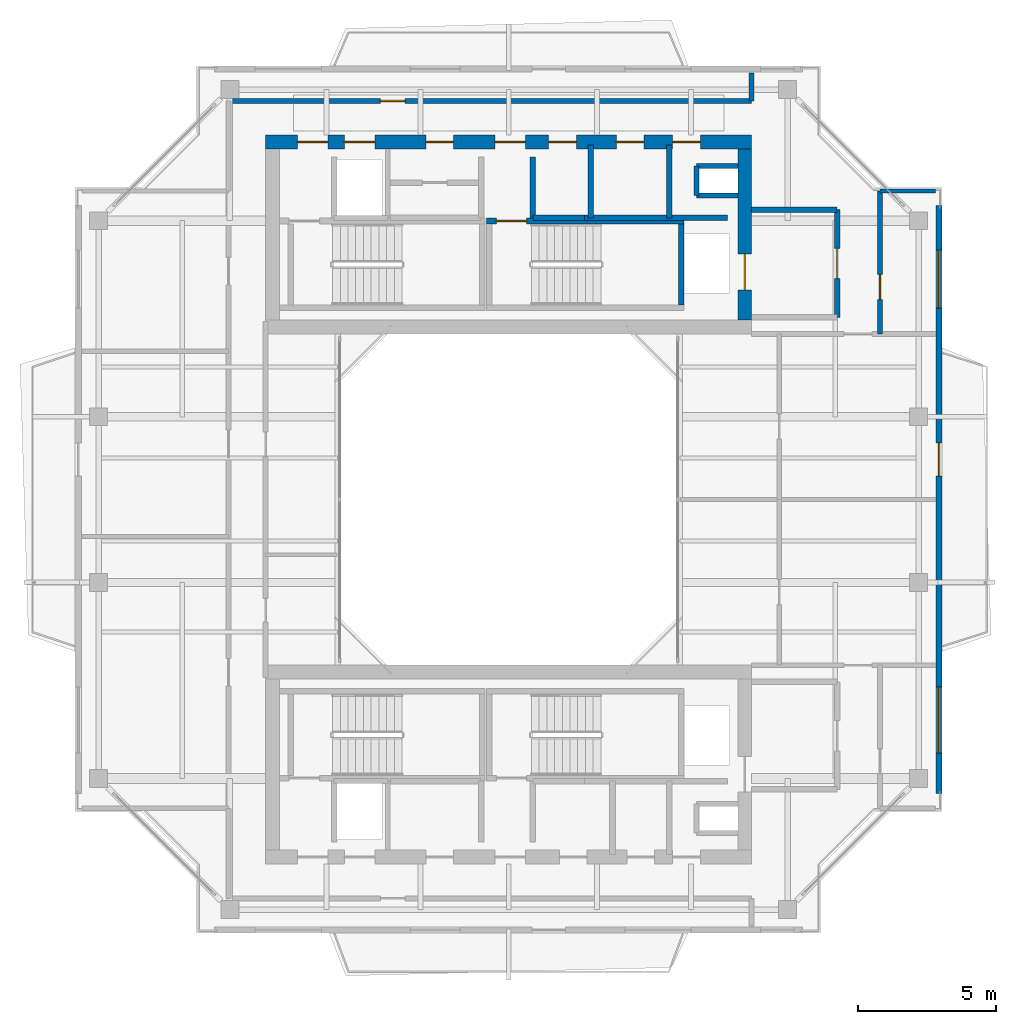
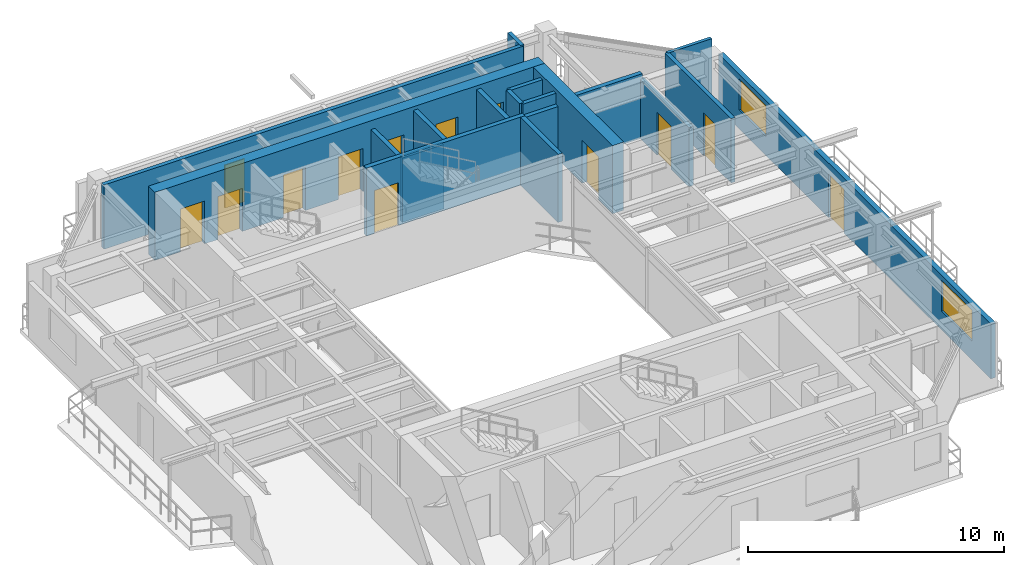
# One storey, part 11 of 14: 19 walls, 13 doors, 2 windows, 15 openings.
"""IFC4 building model written with IfcOpenShell, lengths in metres."""

from ifc_helpers import new_model, si_unit, direction, frame, frame_2d, origin, place, context, subcontext, project, spatial, rectangle, extrude, source, transform, mapped, material, layer, layer_set, type_object, element, fill, save


model = new_model("IFC4")

# Units and contexts
model_context = context("Model", 3, precision=1e-05, world=origin(), true_north=direction((0.0, 1.0)))
body_context = subcontext(model_context, "Body", "Model", "MODEL_VIEW")
ifc_project = project(units=[si_unit("LENGTHUNIT", "METRE"), si_unit("AREAUNIT", "SQUARE_METRE"), si_unit("VOLUMEUNIT", "CUBIC_METRE"), si_unit("PLANEANGLEUNIT", "RADIAN"), si_unit("MASSUNIT", "GRAM", prefix="KILO"), si_unit("THERMODYNAMICTEMPERATUREUNIT", "KELVIN"), si_unit("POWERUNIT", "WATT")], contexts=[model_context])

# Site, building, storey
site_placement = place(None, origin())
site = spatial("IfcSite", under=ifc_project, at=site_placement, CompositionType="ELEMENT")
building_placement = place(site_placement, origin())
building = spatial("IfcBuilding", under=site, at=building_placement, Name="Qiaomeng Ring Towers", CompositionType="ELEMENT")
storey_placement = place(building_placement, frame((0.0, 0.0, 240.5)))
storey = spatial("IfcBuildingStorey", under=building, at=storey_placement, Name="L70", CompositionType="ELEMENT", Elevation=240.5)

# Wall, openings, windows, door
ifc_material_1 = material(Name="Precast concrete C40", Category="concrete")
ifc_layer_1 = layer(ifc_material_1, 0.219970703125, Name="Precast concrete C40")
ifc_layer_set_1 = layer_set([ifc_layer_1], Name="Precast concrete C40")
wall_type_1 = type_object("IfcWallType", Name="ARC-WL-EW2", PredefinedType="STANDARD", material=ifc_layer_set_1)
wall_1_placement = place(storey_placement, frame((34.590087890625, 12.35009765625, 0.0), z_axis=(0.0, 0.0, 1.0), x_axis=(0.0, 1.0, 0.0)))
wall_1 = element("IfcWall", 1, at=wall_1_placement, inside=storey, type_object=wall_type_1, Name="L70 Tower 1 E Exterior Wall", PredefinedType="STANDARD", context=body_context, shape_type="SweptSolid", body=[
    extrude(rectangle(XDim=21.2998046875, YDim=0.219970703125, at=frame_2d((10.64990234375, 0.0))), origin(), (0.0, 0.0, 1.0), 2.610107421875),
])
opening_1_placement = place(wall_1_placement, frame((11.5, 0.0, 0.0)))
opening_1 = element("IfcOpeningElement", 2, at=opening_1_placement, cuts=wall_1, Name="Opening BD1", PredefinedType="OPENING", context=body_context, shape_type="SweptSolid", body=[
    extrude(rectangle(XDim=1.199951171875, YDim=2.10009765625, at=frame_2d((0.60009765625, 1.050048828125))), frame((0.0, 0.119873046875, 0.0), z_axis=(0.0, -1.0, 0.0), x_axis=(1.0, 0.0, 0.0)), (0.0, 0.0, 1.0), 0.239990234375),
])
opening_2_placement = place(wall_1_placement, frame((1.462890625, 0.0, 0.89990234375)))
opening_2 = element("IfcOpeningElement", 3, at=opening_2_placement, cuts=wall_1, Name="Opening WN6", PredefinedType="OPENING", context=body_context, shape_type="SweptSolid", body=[
    extrude(rectangle(XDim=2.39990234375, YDim=1.47998046875, at=frame_2d((1.199951171875, 0.739990234375))), frame((0.0, 0.119873046875, 0.0), z_axis=(0.0, -1.0, 0.0), x_axis=(1.0, 0.0, 0.0)), (0.0, 0.0, 1.0), 0.239990234375),
])
opening_3_placement = place(wall_1_placement, frame((17.587890625, 0.0, 0.89990234375)))
opening_3 = element("IfcOpeningElement", 4, at=opening_3_placement, cuts=wall_1, Name="Opening WN4", PredefinedType="OPENING", context=body_context, shape_type="SweptSolid", body=[
    extrude(rectangle(XDim=2.10009765625, YDim=1.47998046875, at=frame_2d((1.050048828125, 0.739990234375))), frame((0.0, 0.119873046875, 0.0), z_axis=(0.0, -1.0, 0.0), x_axis=(1.0, 0.0, 0.0)), (0.0, 0.0, 1.0), 0.239990234375),
])
ifc_material_2 = material(Name="Low-E dark-grey laminated double glazing", Category="glass")
window_type_1 = type_object("IfcWindowType", Name="ARC-WN-4", PartitioningType="TRIPLE_PANEL_VERTICAL", PredefinedType="WINDOW", material=ifc_material_2)
shared_shape_1 = source(origin(), body_context, "Body", "SweptSolid", [
    extrude(rectangle(XDim=2.10009765625, YDim=1.47998046875, at=frame_2d((1.050048828125, 0.739990234375))), frame((0.0, 0.030029296875, 0.0), z_axis=(0.0, -1.0, 0.0), x_axis=(1.0, 0.0, 0.0)), (0.0, 0.0, 1.0), 0.06005859375),
])
window_1_placement = place(opening_3_placement, origin())
window_1 = element("IfcWindow", 5, at=window_1_placement, inside=storey, type_object=window_type_1, Name="L70 Exterior Window WN4", OverallHeight=1.47998046875, OverallWidth=2.10009765625, PartitioningType="TRIPLE_PANEL_VERTICAL", PredefinedType="WINDOW", context=body_context, shape_type="MappedRepresentation", body=[
    mapped(shared_shape_1, transform((0.0, 0.0, 0.0), x_axis=(1.0, 0.0, 0.0), y_axis=(0.0, 1.0, 0.0), z_axis=(0.0, 0.0, 1.0), scale=1.0)),
])
fill(opening_3, window_1)
window_type_2 = type_object("IfcWindowType", Name="ARC-WN-6", PartitioningType="TRIPLE_PANEL_VERTICAL", PredefinedType="WINDOW", material=ifc_material_2)
shared_shape_2 = source(origin(), body_context, "Body", "SweptSolid", [
    extrude(rectangle(XDim=2.39990234375, YDim=1.47998046875, at=frame_2d((1.199951171875, 0.739990234375))), frame((0.0, 0.030029296875, 0.0), z_axis=(0.0, -1.0, 0.0), x_axis=(1.0, 0.0, 0.0)), (0.0, 0.0, 1.0), 0.06005859375),
])
window_2_placement = place(opening_2_placement, origin())
window_2 = element("IfcWindow", 6, at=window_2_placement, inside=storey, type_object=window_type_2, Name="L70 Exterior Window WN6", OverallHeight=1.47998046875, OverallWidth=2.39990234375, PartitioningType="TRIPLE_PANEL_VERTICAL", PredefinedType="WINDOW", context=body_context, shape_type="MappedRepresentation", body=[
    mapped(shared_shape_2, transform((0.0, 0.0, 0.0), x_axis=(1.0, 0.0, 0.0), y_axis=(0.0, 1.0, 0.0), z_axis=(0.0, 0.0, 1.0), scale=1.0)),
])
fill(opening_2, window_2)
door_type_1 = type_object("IfcDoorType", Name="ARC-DR-BD1", OperationType="NOTDEFINED", PredefinedType="DOOR", material=ifc_material_2)
shared_shape_3 = source(origin(), body_context, "Body", "SweptSolid", [
    extrude(rectangle(XDim=1.199951171875, YDim=2.10009765625, at=frame_2d((0.60009765625, 1.050048828125))), frame((0.0, 0.02490234375, 0.0), z_axis=(0.0, -1.0, 0.0), x_axis=(1.0, 0.0, 0.0)), (0.0, 0.0, 1.0), 0.050048828125),
])
door_1_placement = place(opening_1_placement, origin())
door_1 = element("IfcDoor", 7, at=door_1_placement, inside=storey, type_object=door_type_1, Name="L70 E Balcony Glazed Door", OperationType="SINGLE_SWING_LEFT", OverallHeight=2.10009765625, OverallWidth=1.199951171875, PredefinedType="DOOR", context=body_context, shape_type="MappedRepresentation", body=[
    mapped(shared_shape_3, transform((0.0, 0.0, 0.0), x_axis=(1.0, 0.0, 0.0), y_axis=(0.0, 1.0, 0.0), z_axis=(0.0, 0.0, 1.0), scale=1.0)),
])
fill(opening_1, door_1)

# Wall
ifc_material_3 = material(Name="Autoclaved aerated concrete block", Category="concrete")
ifc_layer_2 = layer(ifc_material_3, 0.199951171875, Name="Autoclaved aerated concrete block")
ifc_layer_set_2 = layer_set([ifc_layer_2], Name="Autoclaved aerated concrete block")
wall_type_2 = type_object("IfcWallType", Name="ARC-WL-PW1", PredefinedType="PARTITIONING", material=ifc_layer_set_2)
wall_2_placement = place(storey_placement, frame((27.800048828125, 33.5, 0.0), z_axis=(0.0, 0.0, 1.0), x_axis=(1.0, 0.0, 0.0)))
element("IfcWall", 8, at=wall_2_placement, inside=storey, type_object=wall_type_2, Name="L70 Interior Wall PW1", PredefinedType="PARTITIONING", context=body_context, shape_type="SweptSolid", body=[
    extrude(rectangle(XDim=3.099853515625, YDim=0.199951171875, at=frame_2d((1.5498046875, 0.0))), origin(), (0.0, 0.0, 1.0), 3.070068359375),
])

# Wall, opening, door
wall_3_placement = place(storey_placement, frame((30.89990234375, 29.60009765625, 0.0), z_axis=(0.0, 0.0, 1.0), x_axis=(0.0, 1.0, 0.0)))
wall_3 = element("IfcWall", 9, at=wall_3_placement, inside=storey, type_object=wall_type_2, Name="L70 Interior Wall PW1", PredefinedType="PARTITIONING", context=body_context, shape_type="SweptSolid", body=[
    extrude(rectangle(XDim=3.89990234375, YDim=0.199951171875, at=frame_2d((1.949951171875, 0.0))), origin(), (0.0, 0.0, 1.0), 2.821044921875),
])
opening_4_placement = place(wall_3_placement, frame((1.39990234375, 0.0, 0.0)))
opening_4 = element("IfcOpeningElement", 10, at=opening_4_placement, cuts=wall_3, Name="Opening FD3", PredefinedType="OPENING", context=body_context, shape_type="SweptSolid", body=[
    extrude(rectangle(XDim=1.10009765625, YDim=2.050048828125, at=frame_2d((0.550048828125, 1.02490234375))), frame((0.0, 0.10986328125, 0.0), z_axis=(0.0, -1.0, 0.0), x_axis=(1.0, 0.0, 0.0)), (0.0, 0.0, 1.0), 0.219970703125),
])
ifc_material_4 = material(Name="Galvanised steel", Category="steel")
door_type_2 = type_object("IfcDoorType", Name="ARC-DR-FD3", OperationType="NOTDEFINED", PredefinedType="DOOR", material=ifc_material_4)
shared_shape_4 = source(origin(), body_context, "Body", "SweptSolid", [
    extrude(rectangle(XDim=1.10009765625, YDim=2.050048828125, at=frame_2d((0.550048828125, 1.02490234375))), frame((0.0, 0.02490234375, 0.0), z_axis=(0.0, -1.0, 0.0), x_axis=(1.0, 0.0, 0.0)), (0.0, 0.0, 1.0), 0.050048828125),
])
door_2_placement = place(opening_4_placement, origin())
door_2 = element("IfcDoor", 11, at=door_2_placement, inside=storey, type_object=door_type_2, Name="L70 North FF Lobby Door", OperationType="SINGLE_SWING_RIGHT", OverallHeight=2.050048828125, OverallWidth=1.10009765625, PredefinedType="DOOR", context=body_context, shape_type="MappedRepresentation", body=[
    mapped(shared_shape_4, transform((0.0, 0.0, 0.0), x_axis=(1.0, 0.0, 0.0), y_axis=(0.0, 1.0, 0.0), z_axis=(0.0, 0.0, 1.0), scale=1.0)),
])
fill(opening_4, door_2)

# Walls
wall_4_placement = place(storey_placement, frame((19.8798828125, 33.18994140625, 0.0), z_axis=(0.0, 0.0, 1.0), x_axis=(0.0, 1.0, 0.0)))
element("IfcWall", 12, at=wall_4_placement, inside=storey, type_object=wall_type_2, Name="L70 Interior Wall PW1", PredefinedType="PARTITIONING", context=body_context, shape_type="SweptSolid", body=[
    extrude(rectangle(XDim=2.2099609375, YDim=0.199951171875, at=frame_2d((1.10498046875, 0.0))), origin(), (0.0, 0.0, 1.0), 3.070068359375),
])
wall_5_placement = place(storey_placement, frame((24.820068359375, 33.199951171875, 0.0), z_axis=(0.0, 0.0, 1.0), x_axis=(0.0, 1.0, 0.0)))
element("IfcWall", 13, at=wall_5_placement, inside=storey, type_object=wall_type_2, Name="L70 Interior Wall PW1", PredefinedType="PARTITIONING", context=body_context, shape_type="SweptSolid", body=[
    extrude(rectangle(XDim=2.650146484375, YDim=0.199951171875, at=frame_2d((1.3251953125, 0.0))), origin(), (0.0, 0.0, 1.0), 3.070068359375),
])
wall_6_placement = place(storey_placement, frame((19.8798828125, 33.199951171875, 0.0), z_axis=(0.0, 0.0, 1.0), x_axis=(1.0, 0.0, 0.0)))
element("IfcWall", 14, at=wall_6_placement, inside=storey, type_object=wall_type_2, Name="L70 Interior Wall PW1", PredefinedType="PARTITIONING", context=body_context, shape_type="SweptSolid", body=[
    extrude(rectangle(XDim=1.8701171875, YDim=0.199951171875, at=frame_2d((0.93505859375, 0.0))), origin(), (0.0, 0.0, 1.0), 3.070068359375),
])
wall_7_placement = place(storey_placement, frame((21.97998046875, 33.199951171875, 0.0), z_axis=(0.0, 0.0, 1.0), x_axis=(0.0, 1.0, 0.0)))
element("IfcWall", 15, at=wall_7_placement, inside=storey, type_object=wall_type_2, Name="L70 Interior Wall PW1", PredefinedType="PARTITIONING", context=body_context, shape_type="SweptSolid", body=[
    extrude(rectangle(XDim=2.650146484375, YDim=0.199951171875, at=frame_2d((1.3251953125, 0.0))), origin(), (0.0, 0.0, 1.0), 3.070068359375),
])
wall_8_placement = place(storey_placement, frame((21.75, 33.199951171875, 0.0), z_axis=(0.0, 0.0, 1.0), x_axis=(1.0, 0.0, 0.0)))
element("IfcWall", 16, at=wall_8_placement, inside=storey, type_object=wall_type_2, Name="L70 Interior Wall PW1", PredefinedType="PARTITIONING", context=body_context, shape_type="SweptSolid", body=[
    extrude(rectangle(XDim=5.169921875, YDim=0.199951171875, at=frame_2d((2.5849609375, 0.0))), origin(), (0.0, 0.0, 1.0), 3.070068359375),
])
ifc_layer_3 = layer(ifc_material_3, 0.179931640625, Name="Autoclaved aerated concrete block")
ifc_layer_set_3 = layer_set([ifc_layer_3], Name="Autoclaved aerated concrete block")
wall_type_3 = type_object("IfcWallType", Name="ARC-WL-PW2", PredefinedType="PARTITIONING", material=ifc_layer_set_3)
wall_9_placement = place(storey_placement, frame((27.800048828125, 37.43994140625, 0.0), z_axis=(0.0, 0.0, 1.0), x_axis=(0.0, 1.0, 0.0)))
element("IfcWall", 17, at=wall_9_placement, inside=storey, type_object=wall_type_3, Name="L70 Interior Wall PW2", PredefinedType="PARTITIONING", context=body_context, shape_type="SweptSolid", body=[
    extrude(rectangle(XDim=1.010009765625, YDim=0.179931640625, at=frame_2d((0.5048828125, 0.0))), origin(), (0.0, 0.0, 1.0), 3.070068359375),
])

# Wall, opening, door
wall_10_placement = place(storey_placement, frame((8.85009765625, 37.43994140625, 0.0), z_axis=(0.0, 0.0, 1.0), x_axis=(1.0, 0.0, 0.0)))
wall_10 = element("IfcWall", 18, at=wall_10_placement, inside=storey, type_object=wall_type_3, Name="L70 Interior Wall PW2", PredefinedType="PARTITIONING", context=body_context, shape_type="SweptSolid", body=[
    extrude(rectangle(XDim=18.949951171875, YDim=0.179931640625, at=frame_2d((9.47509765625, 0.0))), origin(), (0.0, 0.0, 1.0), 3.070068359375),
])
opening_5_placement = place(wall_10_placement, frame((5.5, 0.0, 0.0)))
opening_5 = element("IfcOpeningElement", 19, at=opening_5_placement, cuts=wall_10, Name="Opening ID1", PredefinedType="OPENING", context=body_context, shape_type="SweptSolid", body=[
    extrude(rectangle(XDim=0.89990234375, YDim=2.050048828125, at=frame_2d((0.449951171875, 1.02490234375))), frame((0.0, 0.099853515625, 0.0), z_axis=(0.0, -1.0, 0.0), x_axis=(1.0, 0.0, 0.0)), (0.0, 0.0, 1.0), 0.199951171875),
])
ifc_material_5 = material(Name="Engineered oak timber", Category="wood")
door_type_3 = type_object("IfcDoorType", Name="ARC-DR-ID1", OperationType="NOTDEFINED", PredefinedType="DOOR", material=ifc_material_5)
shared_shape_5 = source(origin(), body_context, "Body", "SweptSolid", [
    extrude(rectangle(XDim=0.89990234375, YDim=2.050048828125, at=frame_2d((0.449951171875, 1.02490234375))), frame((0.0, 0.02490234375, 0.0), z_axis=(0.0, -1.0, 0.0), x_axis=(1.0, 0.0, 0.0)), (0.0, 0.0, 1.0), 0.050048828125),
])
door_3_placement = place(opening_5_placement, origin())
door_3 = element("IfcDoor", 20, at=door_3_placement, inside=storey, type_object=door_type_3, Name="L70 Door ID1", OperationType="SINGLE_SWING_LEFT", OverallHeight=2.050048828125, OverallWidth=0.89990234375, PredefinedType="DOOR", context=body_context, shape_type="MappedRepresentation", body=[
    mapped(shared_shape_5, transform((0.0, 0.0, 0.0), x_axis=(1.0, 0.0, 0.0), y_axis=(0.0, 1.0, 0.0), z_axis=(0.0, 0.0, 1.0), scale=1.0)),
])
fill(opening_5, door_3)

wall_11_placement = place(storey_placement, frame((32.449951171875, 29.0, 0.0), z_axis=(0.0, 0.0, 1.0), x_axis=(0.0, 1.0, 0.0)))
wall_11 = element("IfcWall", 21, at=wall_11_placement, inside=storey, type_object=wall_type_3, Name="L70 Interior Wall PW2", PredefinedType="PARTITIONING", context=body_context, shape_type="SweptSolid", body=[
    extrude(rectangle(XDim=5.179931640625, YDim=0.179931640625, at=frame_2d((2.58984375, 0.0))), origin(), (0.0, 0.0, 1.0), 3.070068359375),
])
opening_6_placement = place(wall_11_placement, frame((1.25, 0.0, 0.0)))
opening_6 = element("IfcOpeningElement", 22, at=opening_6_placement, cuts=wall_11, Name="Opening ID1", PredefinedType="OPENING", context=body_context, shape_type="SweptSolid", body=[
    extrude(rectangle(XDim=0.89990234375, YDim=2.050048828125, at=frame_2d((0.449951171875, 1.02490234375))), frame((0.0, 0.099853515625, 0.0), z_axis=(0.0, -1.0, 0.0), x_axis=(1.0, 0.0, 0.0)), (0.0, 0.0, 1.0), 0.199951171875),
])
door_4_placement = place(opening_6_placement, origin())
door_4 = element("IfcDoor", 23, at=door_4_placement, inside=storey, type_object=door_type_3, Name="L70 Door ID1", OperationType="SINGLE_SWING_RIGHT", OverallHeight=2.050048828125, OverallWidth=0.89990234375, PredefinedType="DOOR", context=body_context, shape_type="MappedRepresentation", body=[
    mapped(shared_shape_5, transform((0.0, 0.0, 0.0), x_axis=(1.0, 0.0, 0.0), y_axis=(0.0, 1.0, 0.0), z_axis=(0.0, 0.0, 1.0), scale=1.0)),
])
fill(opening_6, door_4)

# Walls
ifc_material_6 = material(Name="Gypsum fireboard steel-stud partition", Category="steel")
ifc_layer_4 = layer(ifc_material_6, 0.14990234375, Name="Gypsum fireboard steel-stud partition")
ifc_layer_set_4 = layer_set([ifc_layer_4], Name="Gypsum fireboard steel-stud partition")
wall_type_4 = type_object("IfcWallType", Name="ARC-WL-PW3", PredefinedType="PARTITIONING", material=ifc_layer_set_4)
wall_12_placement = place(storey_placement, frame((32.449951171875, 34.179931640625, 0.0), z_axis=(0.0, 0.0, 1.0), x_axis=(1.0, 0.0, 0.0)))
element("IfcWall", 24, at=wall_12_placement, inside=storey, type_object=wall_type_4, Name="L70 Interior Wall PW3", PredefinedType="PARTITIONING", context=body_context, shape_type="SweptSolid", body=[
    extrude(rectangle(XDim=2.0, YDim=0.14990234375, at=frame_2d((1.0, 0.0))), origin(), (0.0, 0.0, 1.0), 3.070068359375),
])
ifc_material_7 = material(Name="Concrete C40", Category="concrete")
ifc_layer_5 = layer(ifc_material_7, 0.199951171875, Name="Concrete C40")
ifc_layer_set_5 = layer_set([ifc_layer_5], Name="Concrete C40")
wall_type_5 = type_object("IfcWallType", Name="STR-WL-STSHAFT", PredefinedType="SHEAR", material=ifc_layer_set_5)
wall_13_placement = place(storey_placement, frame((25.800048828125, 34.02001953125, 0.0), z_axis=(0.0, 0.0, 1.0), x_axis=(0.0, 1.0, 0.0)))
element("IfcWall", 25, at=wall_13_placement, inside=storey, type_object=wall_type_5, Name="L70 Riser RSR1 West Shaft Wall N", PredefinedType="SHEAR", context=body_context, shape_type="SweptSolid", body=[
    extrude(rectangle(XDim=1.06005859375, YDim=0.179931640625, at=frame_2d((0.530029296875, 0.0))), origin(), (0.0, 0.0, 1.0), 3.070068359375),
])
for number, where, z_axis, x_axis, name in (
    (26, (25.800048828125, 35.080078125, 0.0), (0.0, 0.0, 1.0), (1.0, 0.0, 0.0), "L70 Riser RSR1 North Shaft Wall N"),
    (27, (25.800048828125, 34.02001953125, 0.0), (0.0, 0.0, 1.0), (1.0, 0.0, 0.0), "L70 Riser RSR1 South Shaft Wall N"),
):
    element("IfcWall", number, at=place(storey_placement, frame(where, z_axis=z_axis, x_axis=x_axis)), inside=storey, type_object=wall_type_5, Name=name, PredefinedType="SHEAR", context=body_context, shape_type="SweptSolid", body=[
        extrude(rectangle(XDim=1.5, YDim=0.179931640625, at=frame_2d((0.75, 0.0))), origin(), (0.0, 0.0, 1.0), 3.070068359375),
    ])

# Wall, opening, door
wall_14_placement = place(storey_placement, frame((18.199951171875, 33.090087890625, 0.0), z_axis=(0.0, 0.0, 1.0), x_axis=(1.0, 0.0, 0.0)))
wall_14 = element("IfcWall", 28, at=wall_14_placement, inside=storey, type_object=wall_type_5, Name="L70 Stair ST2 North Shaft Shear Wall", PredefinedType="SHEAR", context=body_context, shape_type="SweptSolid", body=[
    extrude(rectangle(XDim=7.150146484375, YDim=0.199951171875, at=frame_2d((3.5751953125, 0.0))), origin(), (0.0, 0.0, 1.0), 3.25),
])
opening_7_placement = place(wall_14_placement, frame((0.35009765625, 0.0, 0.0)))
opening_7 = element("IfcOpeningElement", 29, at=opening_7_placement, cuts=wall_14, Name="Opening FD3", PredefinedType="OPENING", context=body_context, shape_type="SweptSolid", body=[
    extrude(rectangle(XDim=1.10009765625, YDim=2.050048828125, at=frame_2d((0.550048828125, 1.02490234375))), frame((0.0, 0.10986328125, 0.0), z_axis=(0.0, -1.0, 0.0), x_axis=(1.0, 0.0, 0.0)), (0.0, 0.0, 1.0), 0.219970703125),
])
door_5_placement = place(opening_7_placement, origin())
door_5 = element("IfcDoor", 30, at=door_5_placement, inside=storey, type_object=door_type_2, Name="L70 Stair ST2 Exit Door", OperationType="SINGLE_SWING_LEFT", OverallHeight=2.050048828125, OverallWidth=1.10009765625, PredefinedType="DOOR", context=body_context, shape_type="MappedRepresentation", body=[
    mapped(shared_shape_4, transform((0.0, 0.0, 0.0), x_axis=(1.0, 0.0, 0.0), y_axis=(0.0, 1.0, 0.0), z_axis=(0.0, 0.0, 1.0), scale=1.0)),
])
fill(opening_7, door_5)

# Wall
wall_15_placement = place(storey_placement, frame((25.25, 30.050048828125, 0.0), z_axis=(0.0, 0.0, 1.0), x_axis=(0.0, 1.0, 0.0)))
element("IfcWall", 31, at=wall_15_placement, inside=storey, type_object=wall_type_5, Name="L70 Stair ST2 East Shaft Shear Wall", PredefinedType="SHEAR", context=body_context, shape_type="SweptSolid", body=[
    extrude(rectangle(XDim=2.93994140625, YDim=0.199951171875, at=frame_2d((1.469970703125, 0.0))), origin(), (0.0, 0.0, 1.0), 3.25),
])

# Wall, openings, doors
ifc_layer_6 = layer(ifc_material_7, 0.5, Name="Concrete C40")
ifc_layer_set_6 = layer_set([ifc_layer_6], Name="Concrete C40")
wall_type_6 = type_object("IfcWallType", Name="STR-WL-SW3", PredefinedType="SHEAR", material=ifc_layer_set_6)
wall_16_placement = place(storey_placement, frame((10.199951171875, 35.949951171875, 0.0), z_axis=(0.0, 0.0, 1.0), x_axis=(1.0, 0.0, 0.0)))
wall_16 = element("IfcWall", 32, at=wall_16_placement, inside=storey, type_object=wall_type_6, Name="L70 T1NC north core shear wall", PredefinedType="SHEAR", context=body_context, shape_type="SweptSolid", body=[
    extrude(rectangle(XDim=17.60009765625, YDim=0.5, at=frame_2d((8.800048828125, 0.0))), origin(), (0.0, 0.0, 1.0), 3.25),
])
opening_8_placement = place(wall_16_placement, frame((1.14990234375, 0.0, 0.0)))
opening_8 = element("IfcOpeningElement", 33, at=opening_8_placement, cuts=wall_16, Name="Opening FD3", PredefinedType="OPENING", context=body_context, shape_type="SweptSolid", body=[
    extrude(rectangle(XDim=1.10009765625, YDim=2.050048828125, at=frame_2d((0.550048828125, 1.02490234375))), frame((0.0, 0.260009765625, 0.0), z_axis=(0.0, -1.0, 0.0), x_axis=(1.0, 0.0, 0.0)), (0.0, 0.0, 1.0), 0.52001953125),
])
opening_9_placement = place(wall_16_placement, frame((8.300048828125, 0.0, 0.0)))
opening_9 = element("IfcOpeningElement", 34, at=opening_9_placement, cuts=wall_16, Name="Opening FD3", PredefinedType="OPENING", context=body_context, shape_type="SweptSolid", body=[
    extrude(rectangle(XDim=1.10009765625, YDim=2.050048828125, at=frame_2d((0.550048828125, 1.02490234375))), frame((0.0, 0.260009765625, 0.0), z_axis=(0.0, -1.0, 0.0), x_axis=(1.0, 0.0, 0.0)), (0.0, 0.0, 1.0), 0.52001953125),
])
opening_10_placement = place(wall_16_placement, frame((2.85009765625, 0.0, 0.0)))
opening_10 = element("IfcOpeningElement", 35, at=opening_10_placement, cuts=wall_16, Name="Opening LD1", PredefinedType="OPENING", context=body_context, shape_type="SweptSolid", body=[
    extrude(rectangle(XDim=1.10009765625, YDim=2.050048828125, at=frame_2d((0.550048828125, 1.02490234375))), frame((0.0, 0.260009765625, 0.0), z_axis=(0.0, -1.0, 0.0), x_axis=(1.0, 0.0, 0.0)), (0.0, 0.0, 1.0), 0.52001953125),
])
opening_11_placement = place(wall_16_placement, frame((5.800048828125, 0.0, 0.0)))
opening_11 = element("IfcOpeningElement", 36, at=opening_11_placement, cuts=wall_16, Name="Opening FD1", PredefinedType="OPENING", context=body_context, shape_type="SweptSolid", body=[
    extrude(rectangle(XDim=1.0, YDim=2.050048828125, at=frame_2d((0.5, 1.02490234375))), frame((0.0, 0.260009765625, 0.0), z_axis=(0.0, -1.0, 0.0), x_axis=(1.0, 0.0, 0.0)), (0.0, 0.0, 1.0), 0.52001953125),
])
opening_12_placement = place(wall_16_placement, frame((14.739990234375, 0.0, 0.0)))
opening_12 = element("IfcOpeningElement", 37, at=opening_12_placement, cuts=wall_16, Name="Opening FD1", PredefinedType="OPENING", context=body_context, shape_type="SweptSolid", body=[
    extrude(rectangle(XDim=1.0, YDim=2.050048828125, at=frame_2d((0.5, 1.02490234375))), frame((0.0, 0.260009765625, 0.0), z_axis=(0.0, -1.0, 0.0), x_axis=(1.0, 0.0, 0.0)), (0.0, 0.0, 1.0), 0.52001953125),
])
opening_13_placement = place(wall_16_placement, frame((10.25, 0.0, 0.0)))
opening_13 = element("IfcOpeningElement", 38, at=opening_13_placement, cuts=wall_16, Name="Opening FD1", PredefinedType="OPENING", context=body_context, shape_type="SweptSolid", body=[
    extrude(rectangle(XDim=1.0, YDim=2.050048828125, at=frame_2d((0.5, 1.02490234375))), frame((0.0, 0.260009765625, 0.0), z_axis=(0.0, -1.0, 0.0), x_axis=(1.0, 0.0, 0.0)), (0.0, 0.0, 1.0), 0.52001953125),
])
opening_14_placement = place(wall_16_placement, frame((12.699951171875, 0.0, 0.0)))
opening_14 = element("IfcOpeningElement", 39, at=opening_14_placement, cuts=wall_16, Name="Opening FD1", PredefinedType="OPENING", context=body_context, shape_type="SweptSolid", body=[
    extrude(rectangle(XDim=1.0, YDim=2.050048828125, at=frame_2d((0.5, 1.02490234375))), frame((0.0, 0.260009765625, 0.0), z_axis=(0.0, -1.0, 0.0), x_axis=(1.0, 0.0, 0.0)), (0.0, 0.0, 1.0), 0.52001953125),
])
door_6_placement = place(opening_8_placement, origin())
door_6 = element("IfcDoor", 40, at=door_6_placement, inside=storey, type_object=door_type_2, Name="L70 Stair ST1 Lobby Door", OperationType="SINGLE_SWING_RIGHT", OverallHeight=2.050048828125, OverallWidth=1.10009765625, PredefinedType="DOOR", context=body_context, shape_type="MappedRepresentation", body=[
    mapped(shared_shape_4, transform((0.0, 0.0, 0.0), x_axis=(1.0, 0.0, 0.0), y_axis=(0.0, 1.0, 0.0), z_axis=(0.0, 0.0, 1.0), scale=1.0)),
])
fill(opening_8, door_6)
door_7_placement = place(opening_9_placement, origin())
door_7 = element("IfcDoor", 41, at=door_7_placement, inside=storey, type_object=door_type_2, Name="L70 Stair ST2 Lobby Door", OperationType="SINGLE_SWING_RIGHT", OverallHeight=2.050048828125, OverallWidth=1.10009765625, PredefinedType="DOOR", context=body_context, shape_type="MappedRepresentation", body=[
    mapped(shared_shape_4, transform((0.0, 0.0, 0.0), x_axis=(1.0, 0.0, 0.0), y_axis=(0.0, 1.0, 0.0), z_axis=(0.0, 0.0, 1.0), scale=1.0)),
])
fill(opening_9, door_7)
ifc_material_8 = material(Name="Stainless steel 316", Category="steel")
door_type_4 = type_object("IfcDoorType", Name="ARC-DR-LD1", OperationType="NOTDEFINED", PredefinedType="DOOR", material=ifc_material_8)
door_8_placement = place(opening_10_placement, origin())
door_8 = element("IfcDoor", 42, at=door_8_placement, inside=storey, type_object=door_type_4, Name="L70 High-Zone Lift LP5 Landing Door", OperationType="SLIDING_TO_LEFT", OverallHeight=2.050048828125, OverallWidth=1.10009765625, PredefinedType="DOOR", context=body_context, shape_type="MappedRepresentation", body=[
    mapped(shared_shape_4, transform((0.0, 0.0, 0.0), x_axis=(1.0, 0.0, 0.0), y_axis=(0.0, 1.0, 0.0), z_axis=(0.0, 0.0, 1.0), scale=1.0)),
])
fill(opening_10, door_8)
door_type_5 = type_object("IfcDoorType", Name="ARC-DR-FD1", OperationType="NOTDEFINED", PredefinedType="DOOR", material=ifc_material_4)
shared_shape_6 = source(origin(), body_context, "Body", "SweptSolid", [
    extrude(rectangle(XDim=1.0, YDim=2.050048828125, at=frame_2d((0.5, 1.02490234375))), frame((0.0, 0.02490234375, 0.0), z_axis=(0.0, -1.0, 0.0), x_axis=(1.0, 0.0, 0.0)), (0.0, 0.0, 1.0), 0.050048828125),
])
door_9_placement = place(opening_11_placement, origin())
door_9 = element("IfcDoor", 43, at=door_9_placement, inside=storey, type_object=door_type_5, Name="L70 High-Zone Tea Pantry Door", OperationType="SINGLE_SWING_LEFT", OverallHeight=2.050048828125, OverallWidth=1.0, PredefinedType="DOOR", context=body_context, shape_type="MappedRepresentation", body=[
    mapped(shared_shape_6, transform((0.0, 0.0, 0.0), x_axis=(1.0, 0.0, 0.0), y_axis=(0.0, 1.0, 0.0), z_axis=(0.0, 0.0, 1.0), scale=1.0)),
])
fill(opening_11, door_9)
door_10_placement = place(opening_12_placement, origin())
door_10 = element("IfcDoor", 44, at=door_10_placement, inside=storey, type_object=door_type_5, Name="L70 North Electrical Riser Door", OperationType="SINGLE_SWING_LEFT", OverallHeight=2.050048828125, OverallWidth=1.0, PredefinedType="DOOR", context=body_context, shape_type="MappedRepresentation", body=[
    mapped(shared_shape_6, transform((0.0, 0.0, 0.0), x_axis=(1.0, 0.0, 0.0), y_axis=(0.0, 1.0, 0.0), z_axis=(0.0, 0.0, 1.0), scale=1.0)),
])
fill(opening_12, door_10)
door_11_placement = place(opening_13_placement, origin())
door_11 = element("IfcDoor", 45, at=door_11_placement, inside=storey, type_object=door_type_5, Name="L70 North Cleaners Store Door", OperationType="SINGLE_SWING_LEFT", OverallHeight=2.050048828125, OverallWidth=1.0, PredefinedType="DOOR", context=body_context, shape_type="MappedRepresentation", body=[
    mapped(shared_shape_6, transform((0.0, 0.0, 0.0), x_axis=(1.0, 0.0, 0.0), y_axis=(0.0, 1.0, 0.0), z_axis=(0.0, 0.0, 1.0), scale=1.0)),
])
fill(opening_13, door_11)
door_12_placement = place(opening_14_placement, origin())
door_12 = element("IfcDoor", 46, at=door_12_placement, inside=storey, type_object=door_type_5, Name="L70 North Facilities Management Office Door", OperationType="SINGLE_SWING_RIGHT", OverallHeight=2.050048828125, OverallWidth=1.0, PredefinedType="DOOR", context=body_context, shape_type="MappedRepresentation", body=[
    mapped(shared_shape_6, transform((0.0, 0.0, 0.0), x_axis=(1.0, 0.0, 0.0), y_axis=(0.0, 1.0, 0.0), z_axis=(0.0, 0.0, 1.0), scale=1.0)),
])
fill(opening_14, door_12)

# Wall, opening, door
wall_17_placement = place(storey_placement, frame((27.550048828125, 29.5, 0.0), z_axis=(0.0, 0.0, 1.0), x_axis=(0.0, 1.0, 0.0)))
wall_17 = element("IfcWall", 47, at=wall_17_placement, inside=storey, type_object=wall_type_6, Name="L70 T1NC east core shear wall", PredefinedType="SHEAR", context=body_context, shape_type="SweptSolid", body=[
    extrude(rectangle(XDim=6.199951171875, YDim=0.5, at=frame_2d((3.10009765625, 0.0))), origin(), (0.0, 0.0, 1.0), 3.25),
])
opening_15_placement = place(wall_17_placement, frame((1.10009765625, 0.0, 0.0)))
opening_15 = element("IfcOpeningElement", 48, at=opening_15_placement, cuts=wall_17, Name="Opening LD2", PredefinedType="OPENING", context=body_context, shape_type="SweptSolid", body=[
    extrude(rectangle(XDim=1.300048828125, YDim=2.050048828125, at=frame_2d((0.64990234375, 1.02490234375))), frame((0.0, 0.260009765625, 0.0), z_axis=(0.0, -1.0, 0.0), x_axis=(1.0, 0.0, 0.0)), (0.0, 0.0, 1.0), 0.52001953125),
])
door_type_6 = type_object("IfcDoorType", Name="ARC-DR-LD2", OperationType="NOTDEFINED", PredefinedType="DOOR", material=ifc_material_8)
shared_shape_7 = source(origin(), body_context, "Body", "SweptSolid", [
    extrude(rectangle(XDim=1.300048828125, YDim=2.050048828125, at=frame_2d((0.64990234375, 1.02490234375))), frame((0.0, 0.02490234375, 0.0), z_axis=(0.0, -1.0, 0.0), x_axis=(1.0, 0.0, 0.0)), (0.0, 0.0, 1.0), 0.050048828125),
])
door_13_placement = place(opening_15_placement, origin())
door_13 = element("IfcDoor", 49, at=door_13_placement, inside=storey, type_object=door_type_6, Name="L70 Firefighting Lift FL1 Landing Door", OperationType="SLIDING_TO_LEFT", OverallHeight=2.050048828125, OverallWidth=1.300048828125, PredefinedType="DOOR", context=body_context, shape_type="MappedRepresentation", body=[
    mapped(shared_shape_7, transform((0.0, 0.0, 0.0), x_axis=(1.0, 0.0, 0.0), y_axis=(0.0, 1.0, 0.0), z_axis=(0.0, 0.0, 1.0), scale=1.0)),
])
fill(opening_15, door_13)

save(model, "model.ifc")
